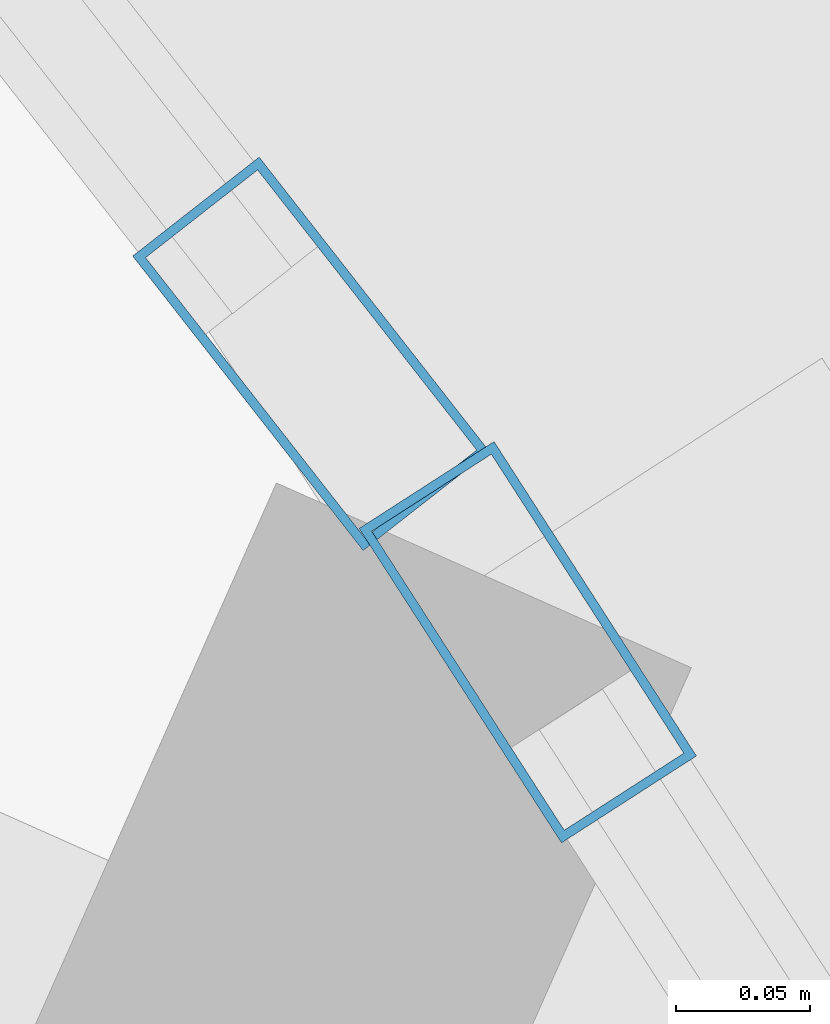
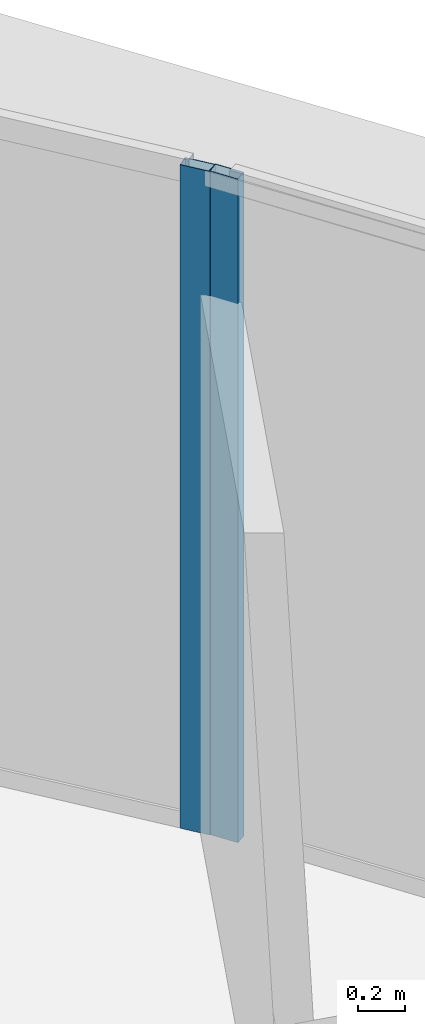
# One storey, part 20 of 34: 2 members, 2 elements without a shape of their own.
"""IFC4 building model written with IfcOpenShell, lengths in metres."""

from ifc_helpers import new_model, si_unit, direction, frame, origin, origin_2d, place, context, subcontext, project, spatial, hollow_rectangle, extrude, source, transform, mapped, material, layer, layer_set, material_profile, profile_set, type_object, element, aggregate, save


model = new_model("IFC4")

# Units and contexts
model_context = context("Model", 3, precision=1e-05, world=origin(), true_north=direction((0.0, 1.0)))
body_context = subcontext(model_context, "Body", "Model", "MODEL_VIEW")
ifc_project = project(units=[si_unit("LENGTHUNIT", "METRE"), si_unit("AREAUNIT", "SQUARE_METRE"), si_unit("VOLUMEUNIT", "CUBIC_METRE"), si_unit("PLANEANGLEUNIT", "RADIAN"), si_unit("MASSUNIT", "GRAM", prefix="KILO"), si_unit("THERMODYNAMICTEMPERATUREUNIT", "KELVIN"), si_unit("POWERUNIT", "WATT")], contexts=[model_context])

# Site, building, storey
site_placement = place(None, origin())
site = spatial("IfcSite", under=ifc_project, at=site_placement, CompositionType="ELEMENT")
building_placement = place(site_placement, origin())
building = spatial("IfcBuilding", under=site, at=building_placement, Name="Yunzhuo Pagoda Commons", CompositionType="ELEMENT")
storey_placement = place(building_placement, frame((0.0, 0.0, 233.340087890625)))
storey = spatial("IfcBuildingStorey", under=building, at=storey_placement, Name="L58", CompositionType="ELEMENT", Elevation=233.340087890625)

# Curtain wall, member
ifc_material = material(Name="Anodized aluminium 6063-T6", Category="aluminium")
ifc_layer = layer(ifc_material, 0.139892578125)
ifc_layer_set = layer_set([ifc_layer], Name="Anodized aluminium 6063-T6")
curtain_wall_type = type_object("IfcCurtainWallType", Name="CW-HI High-Zone Ribbon Curtain Wall", PredefinedType="NOTDEFINED", material=ifc_layer_set)
curtain_wall_1_placement = place(storey_placement, origin())
curtain_wall_1 = element("IfcCurtainWall", 1, at=curtain_wall_1_placement, inside=storey, type_object=curtain_wall_type, Name="L58 curtain wall CW-L58-F2B4", PredefinedType="NOTDEFINED")
ifc_material_profile = material_profile(ifc_material, hollow_rectangle(XDim=0.06005859375, YDim=0.139892578125, WallThickness=0.00341796875, at=origin_2d()), Name="Anodized aluminium 6063-T6")
ifc_profile_set = profile_set([ifc_material_profile], Name="Anodized aluminium 6063-T6")
member_type = type_object("IfcMemberType", Name="CW-HI-M Mullion RHS 140x60x3.5", PredefinedType="MULLION", material=ifc_profile_set)
shared_shape = source(origin(), body_context, "Body", "SweptSolid", [
    extrude(hollow_rectangle(XDim=0.06005859375, YDim=0.139892578125, WallThickness=0.00341796875, at=origin_2d()), origin(), (0.0, 0.0, 1.0), 3.469970703125),
])
member_1_placement = place(storey_placement, frame((62.8193359375, 66.9228515625, 0.0), z_axis=(0.0, 0.0, 1.0), x_axis=(-0.840807373352, -0.541334426133, 0.0)))
member_1 = element("IfcMember", 2, at=member_1_placement, type_object=member_type, Name="CW mullion 2", PredefinedType="MULLION", context=body_context, shape_type="MappedRepresentation", body=[
    mapped(shared_shape, transform((0.0, 0.0, 0.0), scale=1.0)),
])
aggregate(curtain_wall_1, [member_1])

curtain_wall_2_placement = place(storey_placement, origin())
curtain_wall_2 = element("IfcCurtainWall", 3, at=curtain_wall_2_placement, inside=storey, type_object=curtain_wall_type, Name="L58 curtain wall CW-L58-F2B5", PredefinedType="NOTDEFINED")
member_2_placement = place(storey_placement, frame((62.73828125, 67.03076171875, 0.0), z_axis=(0.0, 0.0, 1.0), x_axis=(-0.787639445288, -0.616136433127, 0.0)))
member_2 = element("IfcMember", 4, at=member_2_placement, type_object=member_type, Name="CW mullion 1", PredefinedType="MULLION", context=body_context, shape_type="MappedRepresentation", body=[
    mapped(shared_shape, transform((0.0, 0.0, 0.0), scale=1.0)),
])
aggregate(curtain_wall_2, [member_2])

save(model, "model.ifc")
